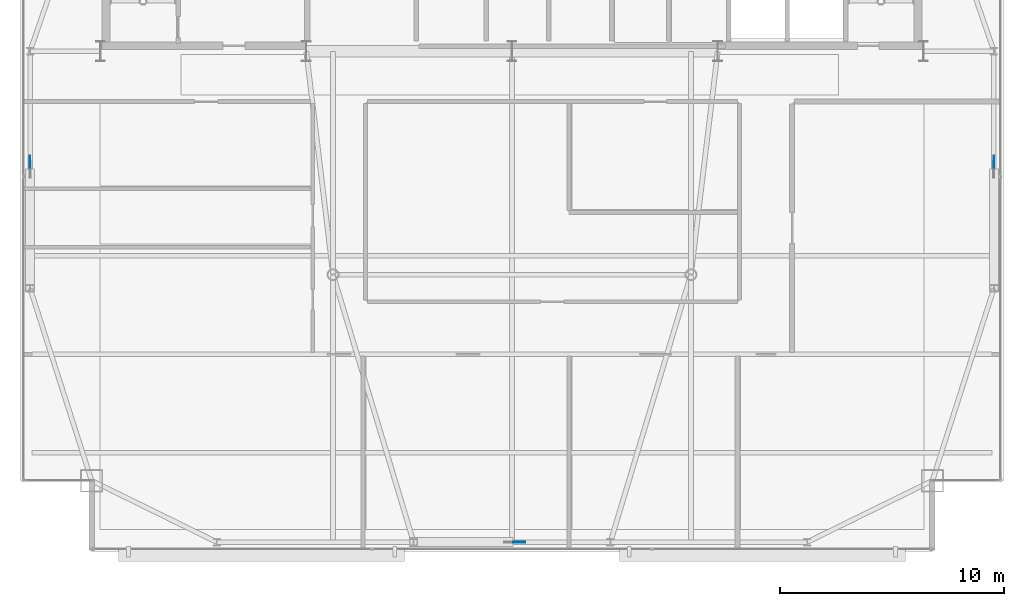
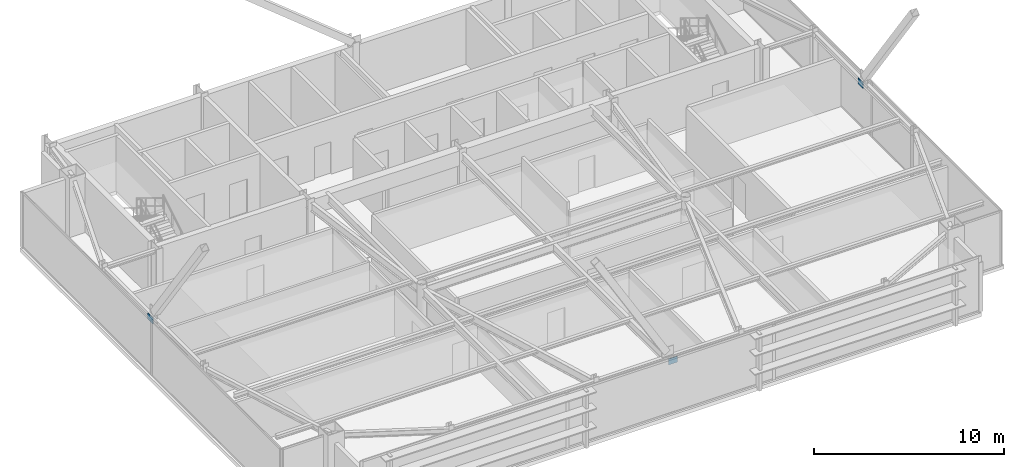
# One storey, part 19 of 24: 3 plates.
"""IFC4 building model written with IfcOpenShell, lengths in metres."""

from ifc_helpers import new_model, si_unit, direction, frame, origin, origin_2d, place, context, subcontext, project, spatial, rectangle, extrude, source, transform, mapped, material, layer, layer_set, type_object, type_shapes, element, save


model = new_model("IFC4")

# Units and contexts
model_context = context("Model", 3, precision=1e-05, world=origin(), true_north=direction((0.0, 1.0)))
body_context = subcontext(model_context, "Body", "Model", "MODEL_VIEW")
ifc_project = project(units=[si_unit("LENGTHUNIT", "METRE"), si_unit("AREAUNIT", "SQUARE_METRE"), si_unit("VOLUMEUNIT", "CUBIC_METRE"), si_unit("PLANEANGLEUNIT", "RADIAN"), si_unit("MASSUNIT", "GRAM", prefix="KILO")], contexts=[model_context])

# Site, building, storey
site_placement = place(None, origin())
site = spatial("IfcSite", under=ifc_project, at=site_placement, CompositionType="ELEMENT")
building_placement = place(site_placement, origin())
building = spatial("IfcBuilding", under=site, at=building_placement, Name="Varnel Quay Broadcast Tower", CompositionType="ELEMENT")
storey_placement = place(building_placement, frame((0.0, 0.0, 262.199951171875)))
storey = spatial("IfcBuildingStorey", under=building, at=storey_placement, Name="L65", CompositionType="ELEMENT", Elevation=262.199951171875)

# Plates
ifc_material = material(Name="Structural Steel CSA G40.21 350WT", Category="steel")
ifc_layer = layer(ifc_material, 0.031982421875, Name="Structural Steel CSA G40.21 350WT")
ifc_layer_set = layer_set([ifc_layer], Name="Structural Steel CSA G40.21 350WT")
plate_type = type_object("IfcPlateType", Name="Plate_EndCap", PredefinedType="USERDEFINED", material=ifc_layer_set)
shared_shape = source(origin(), body_context, "Body", "SweptSolid", [
    extrude(rectangle(XDim=0.5400390625, YDim=0.031982421875, at=origin_2d()), origin(), (0.0, 0.0, 1.0), 0.3798828125),
])
type_shapes(plate_type, [shared_shape])
for number, where, z_axis, x_axis, name in (
    (1, (34.32373046875, 13.64990234375, 2.9365234375), (0.0, 0.0, 1.0), (1.0, 0.0, 0.0), "Zone 5 Mega-Brace S-C1T1 Diag B1 End Connection Plate P1"),
    (2, (12.449951171875, 30.6591796875, 2.97998046875), (0.0, 0.0, 1.0), (0.0, 1.0, 0.0), "Zone 5 Mega-Brace W-FT1 Diag B1 End Connection Plate P1"),
    (3, (55.550048828125, 30.6591796875, 2.97998046875), (0.0, 0.0, 1.0), (0.0, 1.0, 0.0), "Zone 5 Mega-Brace E-FT1 Diag B1 End Connection Plate P1"),
):
    element("IfcPlate", number, at=place(storey_placement, frame(where, z_axis=z_axis, x_axis=x_axis)), inside=storey, type_object=plate_type, Name=name, ObjectType="CAP_PLATE", PredefinedType="USERDEFINED", context=body_context, shape_type="MappedRepresentation", body=[
        mapped(shared_shape, transform((0.0, 0.0, 0.0), x_axis=(1.0, 0.0, 0.0), y_axis=(0.0, 1.0, 0.0), z_axis=(0.0, 0.0, 1.0), scale=1.0)),
    ])

save(model, "model.ifc")
